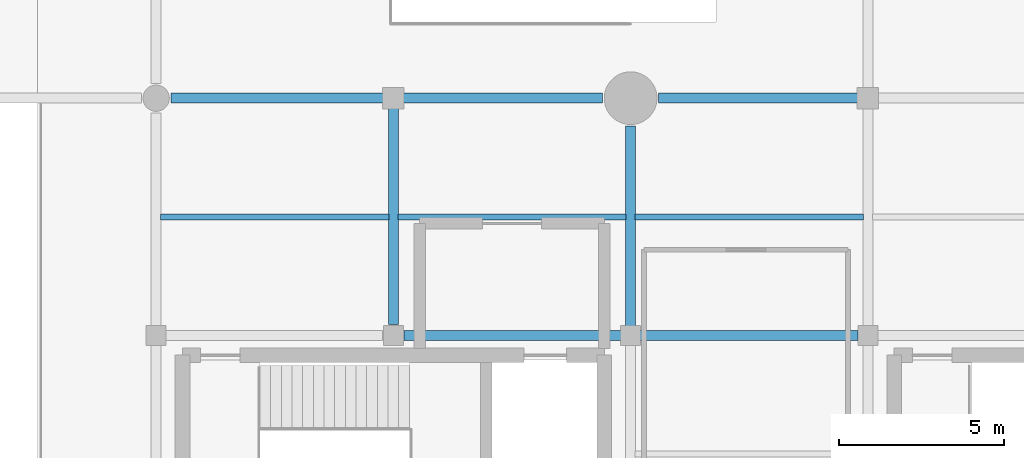
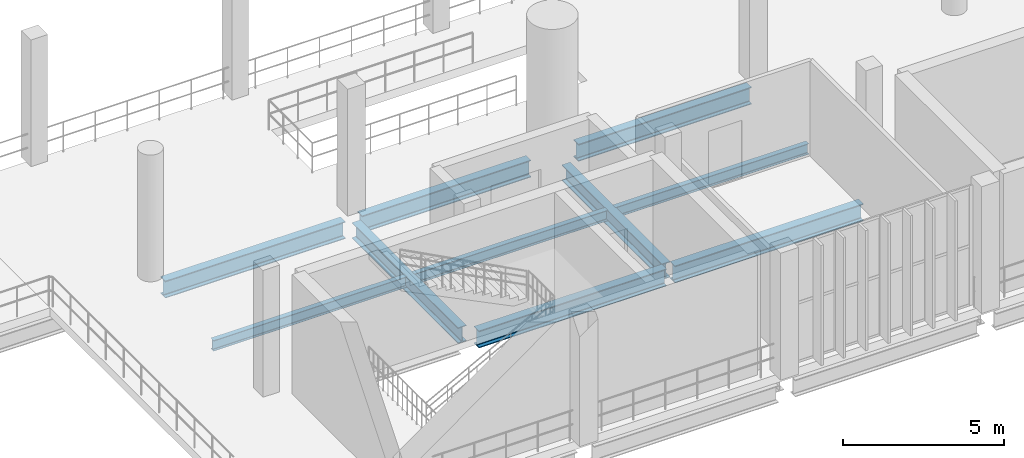
# One storey, part 10 of 105: 10 beams.
"""IFC4 building model written with IfcOpenShell, lengths in metres."""

from ifc_helpers import new_model, si_unit, direction, frame, origin, origin_2d, place, context, subcontext, project, spatial, i_section, extrude, material, material_profile, profile_set, type_object, element, save


model = new_model("IFC4")

# Units and contexts
model_context = context("Model", 3, precision=1e-05, world=origin(), true_north=direction((0.0, 1.0)))
body_context = subcontext(model_context, "Body", "Model", "MODEL_VIEW")
ifc_project = project(units=[si_unit("LENGTHUNIT", "METRE"), si_unit("AREAUNIT", "SQUARE_METRE"), si_unit("VOLUMEUNIT", "CUBIC_METRE"), si_unit("PLANEANGLEUNIT", "RADIAN"), si_unit("MASSUNIT", "GRAM", prefix="KILO")], contexts=[model_context])

# Site, building, storey
site_placement = place(None, origin())
site = spatial("IfcSite", under=ifc_project, at=site_placement, CompositionType="ELEMENT")
building_placement = place(site_placement, origin())
building = spatial("IfcBuilding", under=site, at=building_placement, Name="Qandorah Velis Arena", CompositionType="ELEMENT")
storey_placement = place(building_placement, frame((0.0, 0.0, 13.800048828125)))
storey = spatial("IfcBuildingStorey", under=building, at=storey_placement, Name="L03", CompositionType="ELEMENT", Elevation=13.800048828125)

# Beams
ifc_material = material(Name="Steel S355", Category="steel")
ifc_material_profile_1 = material_profile(ifc_material, i_section(OverallWidth=0.300048828125, OverallDepth=0.60009765625, WebThickness=0.015380859375, FlangeThickness=0.030029296875, FilletRadius=0.027099609375, at=origin_2d()), Name="HEB 600")
ifc_profile_set_1 = profile_set([ifc_material_profile_1], Name="Steel S355")
beam_type_1 = type_object("IfcBeamType", Name="STR-BM-HEB600", PredefinedType="BEAM", material=ifc_profile_set_1)
beam_1_placement = place(storey_placement, frame((36.0, 7.52490234375, -0.6201171875), z_axis=(0.0, 1.0, 0.0), x_axis=(-1.0, 0.0, 0.0)))
element("IfcBeam", 1, at=beam_1_placement, inside=storey, type_object=beam_type_1, Name="Primary floor girder L03 Y-240", PredefinedType="BEAM", context=body_context, shape_type="SweptSolid", body=[
    extrude(i_section(OverallWidth=0.300048828125, OverallDepth=0.60009765625, WebThickness=0.015380859375, FlangeThickness=0.030029296875, FilletRadius=0.027099609375, at=origin_2d()), origin(), (0.0, 0.0, 1.0), 6.5751953125),
])
beam_2_placement = place(storey_placement, frame((43.199951171875, 7.35009765625, -0.6201171875), z_axis=(0.0, 1.0, 0.0), x_axis=(-1.0, 0.0, 0.0)))
element("IfcBeam", 2, at=beam_2_placement, inside=storey, type_object=beam_type_1, Name="Primary floor girder L03 Y-243", PredefinedType="BEAM", context=body_context, shape_type="SweptSolid", body=[
    extrude(i_section(OverallWidth=0.300048828125, OverallDepth=0.60009765625, WebThickness=0.015380859375, FlangeThickness=0.030029296875, FilletRadius=0.027099609375, at=origin_2d()), origin(), (0.0, 0.0, 1.0), 6.199951171875),
])
ifc_material_profile_2 = material_profile(ifc_material, i_section(OverallWidth=0.300048828125, OverallDepth=0.64990234375, WebThickness=0.01611328125, FlangeThickness=0.031005859375, FilletRadius=0.027099609375, at=origin_2d()), Name="HEB 650")
ifc_profile_set_2 = profile_set([ifc_material_profile_2], Name="Steel S355")
beam_type_2 = type_object("IfcBeamType", Name="STR-BM-HEB650", PredefinedType="BEAM", material=ifc_profile_set_2)
beam_3_placement = place(storey_placement, frame((36.324951171875, 7.199951171875, -0.64501953125), z_axis=(1.0, 0.0, 0.0), x_axis=(0.0, 1.0, 0.0)))
element("IfcBeam", 3, at=beam_3_placement, inside=storey, type_object=beam_type_2, Name="Primary floor girder L03 X-014", PredefinedType="BEAM", context=body_context, shape_type="SweptSolid", body=[
    extrude(i_section(OverallWidth=0.300048828125, OverallDepth=0.64990234375, WebThickness=0.01611328125, FlangeThickness=0.031005859375, FilletRadius=0.027099609375, at=origin_2d()), origin(), (0.0, 0.0, 1.0), 6.72509765625),
])
beam_4_placement = place(storey_placement, frame((43.35009765625, 7.199951171875, -0.64501953125), z_axis=(1.0, 0.0, 0.0), x_axis=(0.0, 1.0, 0.0)))
element("IfcBeam", 4, at=beam_4_placement, inside=storey, type_object=beam_type_2, Name="Primary floor girder L03 X-015", PredefinedType="BEAM", context=body_context, shape_type="SweptSolid", body=[
    extrude(i_section(OverallWidth=0.300048828125, OverallDepth=0.64990234375, WebThickness=0.01611328125, FlangeThickness=0.031005859375, FilletRadius=0.027099609375, at=origin_2d()), origin(), (0.0, 0.0, 1.0), 6.75),
])
beam_5_placement = place(storey_placement, frame((29.25, 14.39990234375, -0.64501953125), z_axis=(1.0, 0.0, 0.0), x_axis=(0.0, 1.0, 0.0)))
element("IfcBeam", 5, at=beam_5_placement, inside=storey, type_object=beam_type_2, Name="Primary floor girder L03 X-029", PredefinedType="BEAM", context=body_context, shape_type="SweptSolid", body=[
    extrude(i_section(OverallWidth=0.300048828125, OverallDepth=0.64990234375, WebThickness=0.01611328125, FlangeThickness=0.031005859375, FilletRadius=0.027099609375, at=origin_2d()), origin(), (0.0, 0.0, 1.0), 6.449951171875),
])
beam_6_placement = place(storey_placement, frame((36.300048828125, 14.39990234375, -0.64501953125), z_axis=(1.0, 0.0, 0.0), x_axis=(0.0, 1.0, 0.0)))
element("IfcBeam", 6, at=beam_6_placement, inside=storey, type_object=beam_type_2, Name="Primary floor girder L03 X-030", PredefinedType="BEAM", context=body_context, shape_type="SweptSolid", body=[
    extrude(i_section(OverallWidth=0.300048828125, OverallDepth=0.64990234375, WebThickness=0.01611328125, FlangeThickness=0.031005859375, FilletRadius=0.027099609375, at=origin_2d()), origin(), (0.0, 0.0, 1.0), 6.050048828125),
])
beam_7_placement = place(storey_placement, frame((44.050048828125, 14.39990234375, -0.64501953125), z_axis=(1.0, 0.0, 0.0), x_axis=(0.0, 1.0, 0.0)))
element("IfcBeam", 7, at=beam_7_placement, inside=storey, type_object=beam_type_2, Name="Primary floor girder L03 X-031", PredefinedType="BEAM", context=body_context, shape_type="SweptSolid", body=[
    extrude(i_section(OverallWidth=0.300048828125, OverallDepth=0.64990234375, WebThickness=0.01611328125, FlangeThickness=0.031005859375, FilletRadius=0.027099609375, at=origin_2d()), origin(), (0.0, 0.0, 1.0), 6.199951171875),
])
ifc_material_profile_3 = material_profile(ifc_material, i_section(OverallWidth=0.179931640625, OverallDepth=0.39990234375, WebThickness=0.008544921875, FlangeThickness=0.013427734375, FilletRadius=0.02099609375, at=origin_2d()), Name="IPE 400")
ifc_profile_set_3 = profile_set([ifc_material_profile_3], Name="Steel S355")
beam_type_3 = type_object("IfcBeamType", Name="STR-JST-IPE400", PredefinedType="JOIST", material=ifc_profile_set_3)
for number, where, z_axis, x_axis, name in (
    (8, (28.93505859375, 10.800048828125, -0.52001953125), (1.0, 0.0, 0.0), (0.0, 1.0, 0.0), "Secondary floor joist L03-039"),
    (9, (36.135009765625, 10.800048828125, -0.52001953125), (1.0, 0.0, 0.0), (0.0, 1.0, 0.0), "Secondary floor joist L03-041"),
    (10, (43.3349609375, 10.800048828125, -0.52001953125), (1.0, 0.0, 0.0), (0.0, 1.0, 0.0), "Secondary floor joist L03-044"),
):
    element("IfcBeam", number, at=place(storey_placement, frame(where, z_axis=z_axis, x_axis=x_axis)), inside=storey, type_object=beam_type_3, Name=name, PredefinedType="JOIST", context=body_context, shape_type="SweptSolid", body=[
        extrude(i_section(OverallWidth=0.179931640625, OverallDepth=0.39990234375, WebThickness=0.008544921875, FlangeThickness=0.013427734375, FilletRadius=0.02099609375, at=origin_2d()), origin(), (0.0, 0.0, 1.0), 6.929931640625),
    ])

save(model, "model.ifc")
